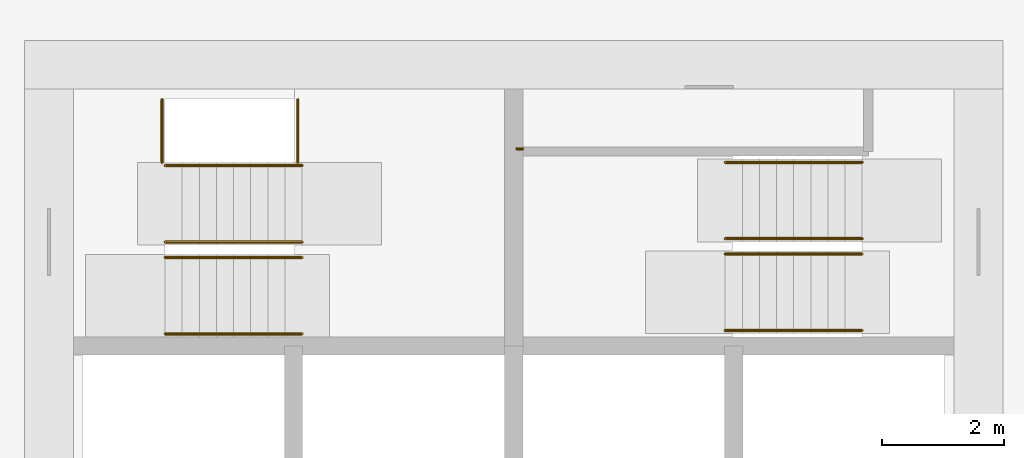
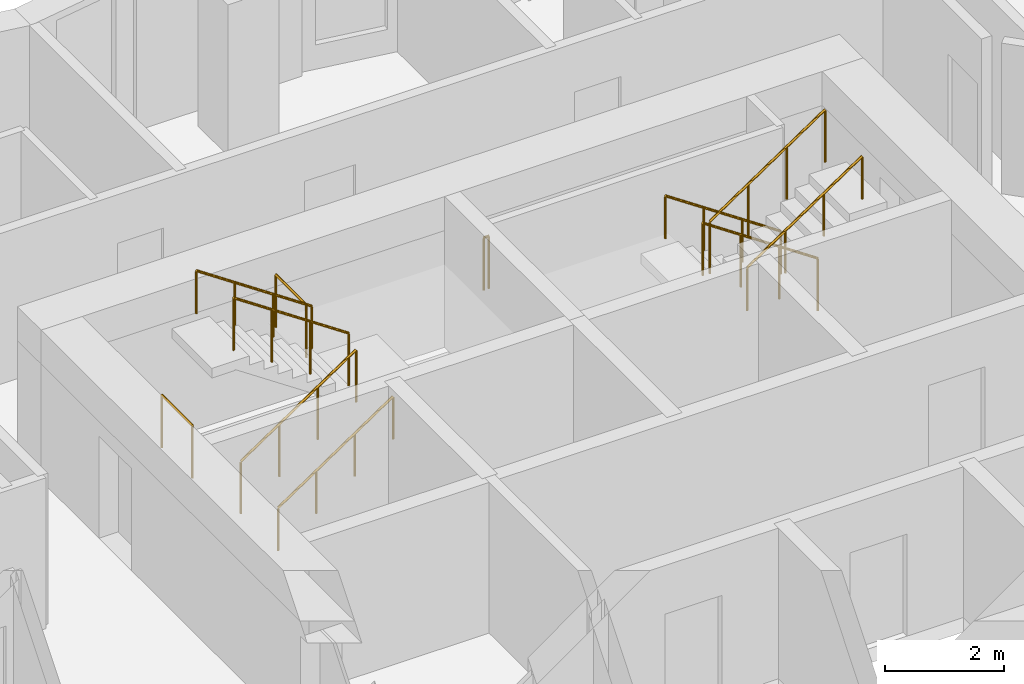
# One storey, part 12 of 14: 11 railings.
"""IFC4 building model written with IfcOpenShell, lengths in metres."""

from ifc_helpers import new_model, si_unit, direction, frame, origin, origin_2d, place, context, subcontext, project, spatial, circle, extrude, material, type_object, element, save


model = new_model("IFC4")

# Units and contexts
model_context = context("Model", 3, precision=1e-05, world=origin(), true_north=direction((0.0, 1.0)))
body_context = subcontext(model_context, "Body", "Model", "MODEL_VIEW")
ifc_project = project(units=[si_unit("LENGTHUNIT", "METRE"), si_unit("AREAUNIT", "SQUARE_METRE"), si_unit("VOLUMEUNIT", "CUBIC_METRE"), si_unit("PLANEANGLEUNIT", "RADIAN"), si_unit("MASSUNIT", "GRAM", prefix="KILO")], contexts=[model_context])

# Site, building, storey
site_placement = place(None, origin())
site = spatial("IfcSite", under=ifc_project, at=site_placement, CompositionType="ELEMENT")
building_placement = place(site_placement, origin())
building = spatial("IfcBuilding", under=site, at=building_placement, Name="Windrow Commons", CompositionType="ELEMENT")
storey_placement = place(building_placement, frame((0.0, 0.0, 118.6)))
storey = spatial("IfcBuildingStorey", under=building, at=storey_placement, Name="L32", CompositionType="ELEMENT", Elevation=118.6)

# Railings
ifc_material_1 = material(Name="Steel S355", Category="steel")
railing_type_1 = type_object("IfcRailingType", Name="Core stair guard 1100", PredefinedType="GUARDRAIL", material=ifc_material_1)
railing_1_placement = place(storey_placement, frame((59.1, 62.05, 0.1889)))
element("IfcRailing", 1, at=railing_1_placement, inside=storey, type_object=railing_type_1, Name="L32 ST-A1 stair guard 1", PredefinedType="GUARDRAIL", context=body_context, shape_type="SweptSolid", body=[
    extrude(circle(Radius=0.024, at=origin_2d()), frame((0.0, 0.0, 1.076), z_axis=(0.8290030985, 0.0, 0.5592440099), x_axis=(0.0, 1.0, 0.0)), (0.0, 0.0, 1.0), 2.702),
    extrude(circle(Radius=0.021, at=origin_2d()), origin(), (0.0, 0.0, 1.0), 1.052),
    extrude(circle(Radius=0.021, at=origin_2d()), frame((0.7467, 0.0, 0.5037)), (0.0, 0.0, 1.0), 1.052),
    extrude(circle(Radius=0.021, at=origin_2d()), frame((1.4933, 0.0, 1.0074)), (0.0, 0.0, 1.0), 1.052),
    extrude(circle(Radius=0.021, at=origin_2d()), frame((2.24, 0.0, 1.5111)), (0.0, 0.0, 1.0), 1.052),
])
railing_2_placement = place(storey_placement, frame((61.34, 62.3, 1.8889)))
element("IfcRailing", 2, at=railing_2_placement, inside=storey, type_object=railing_type_1, Name="L32 ST-A1 stair guard 2", PredefinedType="GUARDRAIL", context=body_context, shape_type="SweptSolid", body=[
    extrude(circle(Radius=0.024, at=origin_2d()), frame((0.0, 0.0, 1.076), z_axis=(-0.8290030985, 0.0, 0.5592440099), x_axis=(0.0, -1.0, 0.0)), (0.0, 0.0, 1.0), 2.702),
    extrude(circle(Radius=0.021, at=origin_2d()), origin(), (0.0, 0.0, 1.0), 1.052),
    extrude(circle(Radius=0.021, at=origin_2d()), frame((-0.7467, 0.0, 0.5037)), (0.0, 0.0, 1.0), 1.052),
    extrude(circle(Radius=0.021, at=origin_2d()), frame((-1.4933, 0.0, 1.0074)), (0.0, 0.0, 1.0), 1.052),
    extrude(circle(Radius=0.021, at=origin_2d()), frame((-2.24, 0.0, 1.5111)), (0.0, 0.0, 1.0), 1.052),
])
for number, where, name in (
    (3, (59.05, 63.6, 0.0), "L32 ST-A1 stair guard 3"),
    (4, (61.27, 63.6, 1.7), "L32 ST-A1 stair guard 4"),
):
    element("IfcRailing", number, at=place(storey_placement, frame(where)), inside=storey, type_object=railing_type_1, Name=name, PredefinedType="GUARDRAIL", context=body_context, shape_type="SweptSolid", body=[
        extrude(circle(Radius=0.024, at=origin_2d()), frame((0.0, 0.0, 1.076), z_axis=(0.0, 1.0, 0.0), x_axis=(-1.0, 0.0, 0.0)), (0.0, 0.0, 1.0), 1.03),
        extrude(circle(Radius=0.021, at=origin_2d()), origin(), (0.0, 0.0, 1.0), 1.052),
        extrude(circle(Radius=0.021, at=origin_2d()), frame((0.0, 1.03, 0.0)), (0.0, 0.0, 1.0), 1.052),
    ])
railing_3_placement = place(storey_placement, frame((70.5, 62.355, 0.1889)))
element("IfcRailing", 5, at=railing_3_placement, inside=storey, type_object=railing_type_1, Name="L32 ST-A2 stair guard 1", PredefinedType="GUARDRAIL", context=body_context, shape_type="SweptSolid", body=[
    extrude(circle(Radius=0.024, at=origin_2d()), frame((0.0, 0.0, 1.076), z_axis=(-0.8290030985, 0.0, 0.5592440099), x_axis=(0.0, -1.0, 0.0)), (0.0, 0.0, 1.0), 2.702),
    extrude(circle(Radius=0.021, at=origin_2d()), origin(), (0.0, 0.0, 1.0), 1.052),
    extrude(circle(Radius=0.021, at=origin_2d()), frame((-0.7467, 0.0, 0.5037)), (0.0, 0.0, 1.0), 1.052),
    extrude(circle(Radius=0.021, at=origin_2d()), frame((-1.4933, 0.0, 1.0074)), (0.0, 0.0, 1.0), 1.052),
    extrude(circle(Radius=0.021, at=origin_2d()), frame((-2.24, 0.0, 1.5111)), (0.0, 0.0, 1.0), 1.052),
])
railing_4_placement = place(storey_placement, frame((68.26, 62.105, 1.8889)))
element("IfcRailing", 6, at=railing_4_placement, inside=storey, type_object=railing_type_1, Name="L32 ST-A2 stair guard 2", PredefinedType="GUARDRAIL", context=body_context, shape_type="SweptSolid", body=[
    extrude(circle(Radius=0.024, at=origin_2d()), frame((0.0, 0.0, 1.076), z_axis=(0.8290030985, 0.0, 0.5592440099), x_axis=(0.0, 1.0, 0.0)), (0.0, 0.0, 1.0), 2.702),
    extrude(circle(Radius=0.021, at=origin_2d()), origin(), (0.0, 0.0, 1.0), 1.052),
    extrude(circle(Radius=0.021, at=origin_2d()), frame((0.7467, 0.0, 0.5037)), (0.0, 0.0, 1.0), 1.052),
    extrude(circle(Radius=0.021, at=origin_2d()), frame((1.4933, 0.0, 1.0074)), (0.0, 0.0, 1.0), 1.052),
    extrude(circle(Radius=0.021, at=origin_2d()), frame((2.24, 0.0, 1.5111)), (0.0, 0.0, 1.0), 1.052),
])
railing_5_placement = place(storey_placement, frame((64.95, 63.825, 1.7)))
element("IfcRailing", 7, at=railing_5_placement, inside=storey, type_object=railing_type_1, Name="L32 ST-A2 stair guard 3", PredefinedType="GUARDRAIL", context=body_context, shape_type="SweptSolid", body=[
    extrude(circle(Radius=0.024, at=origin_2d()), frame((0.0, 0.0, 1.076), z_axis=(-1.0, 0.0, 0.0), x_axis=(0.0, -1.0, 0.0)), (0.0, 0.0, 1.0), 0.1),
    extrude(circle(Radius=0.021, at=origin_2d()), origin(), (0.0, 0.0, 1.0), 1.052),
    extrude(circle(Radius=0.021, at=origin_2d()), frame((-0.1, 0.0, 0.0)), (0.0, 0.0, 1.0), 1.052),
])
ifc_material_2 = material(Name="Steel S355", Category="steel")
railing_type_2 = type_object("IfcRailingType", Name="Core stair handrail 900", PredefinedType="HANDRAIL", material=ifc_material_2)
railing_6_placement = place(storey_placement, frame((59.1, 60.8, 0.1889)))
element("IfcRailing", 8, at=railing_6_placement, inside=storey, type_object=railing_type_2, Name="L32 ST-A1 stair handrail 1", PredefinedType="HANDRAIL", context=body_context, shape_type="SweptSolid", body=[
    extrude(circle(Radius=0.024, at=origin_2d()), frame((0.0, 0.0, 0.876), z_axis=(0.8290030985, 0.0, 0.5592440099), x_axis=(0.0, 1.0, 0.0)), (0.0, 0.0, 1.0), 2.702),
    extrude(circle(Radius=0.021, at=origin_2d()), origin(), (0.0, 0.0, 1.0), 0.852),
    extrude(circle(Radius=0.021, at=origin_2d()), frame((0.7467, 0.0, 0.5037)), (0.0, 0.0, 1.0), 0.852),
    extrude(circle(Radius=0.021, at=origin_2d()), frame((1.4933, 0.0, 1.0074)), (0.0, 0.0, 1.0), 0.852),
    extrude(circle(Radius=0.021, at=origin_2d()), frame((2.24, 0.0, 1.5111)), (0.0, 0.0, 1.0), 0.852),
])
for number, where, name in (
    (9, (61.34, 63.55, 1.8889), "L32 ST-A1 stair handrail 2"),
    (10, (70.5, 63.605, 0.1889), "L32 ST-A2 stair handrail 1"),
):
    element("IfcRailing", number, at=place(storey_placement, frame(where)), inside=storey, type_object=railing_type_2, Name=name, PredefinedType="HANDRAIL", context=body_context, shape_type="SweptSolid", body=[
        extrude(circle(Radius=0.024, at=origin_2d()), frame((0.0, 0.0, 0.876), z_axis=(-0.8290030985, 0.0, 0.5592440099), x_axis=(0.0, -1.0, 0.0)), (0.0, 0.0, 1.0), 2.702),
        extrude(circle(Radius=0.021, at=origin_2d()), origin(), (0.0, 0.0, 1.0), 0.852),
        extrude(circle(Radius=0.021, at=origin_2d()), frame((-0.7467, 0.0, 0.5037)), (0.0, 0.0, 1.0), 0.852),
        extrude(circle(Radius=0.021, at=origin_2d()), frame((-1.4933, 0.0, 1.0074)), (0.0, 0.0, 1.0), 0.852),
        extrude(circle(Radius=0.021, at=origin_2d()), frame((-2.24, 0.0, 1.5111)), (0.0, 0.0, 1.0), 0.852),
    ])
railing_7_placement = place(storey_placement, frame((68.26, 60.855, 1.8889)))
element("IfcRailing", 11, at=railing_7_placement, inside=storey, type_object=railing_type_2, Name="L32 ST-A2 stair handrail 2", PredefinedType="HANDRAIL", context=body_context, shape_type="SweptSolid", body=[
    extrude(circle(Radius=0.024, at=origin_2d()), frame((0.0, 0.0, 0.876), z_axis=(0.8290030985, 0.0, 0.5592440099), x_axis=(0.0, 1.0, 0.0)), (0.0, 0.0, 1.0), 2.702),
    extrude(circle(Radius=0.021, at=origin_2d()), origin(), (0.0, 0.0, 1.0), 0.852),
    extrude(circle(Radius=0.021, at=origin_2d()), frame((0.7467, 0.0, 0.5037)), (0.0, 0.0, 1.0), 0.852),
    extrude(circle(Radius=0.021, at=origin_2d()), frame((1.4933, 0.0, 1.0074)), (0.0, 0.0, 1.0), 0.852),
    extrude(circle(Radius=0.021, at=origin_2d()), frame((2.24, 0.0, 1.5111)), (0.0, 0.0, 1.0), 0.852),
])

save(model, "model.ifc")
